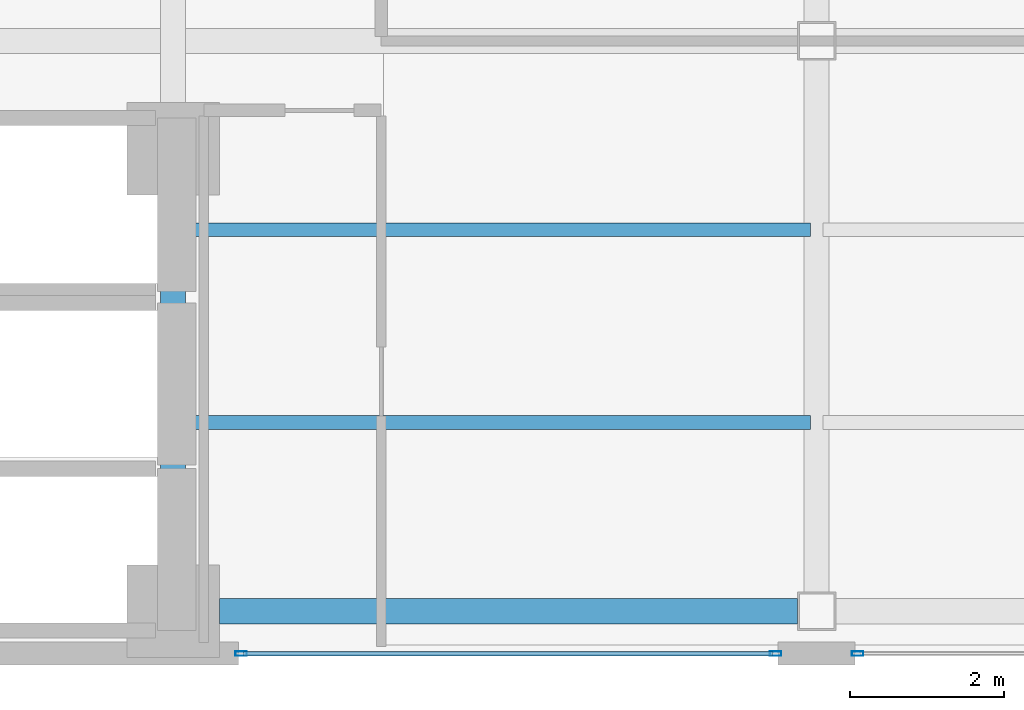
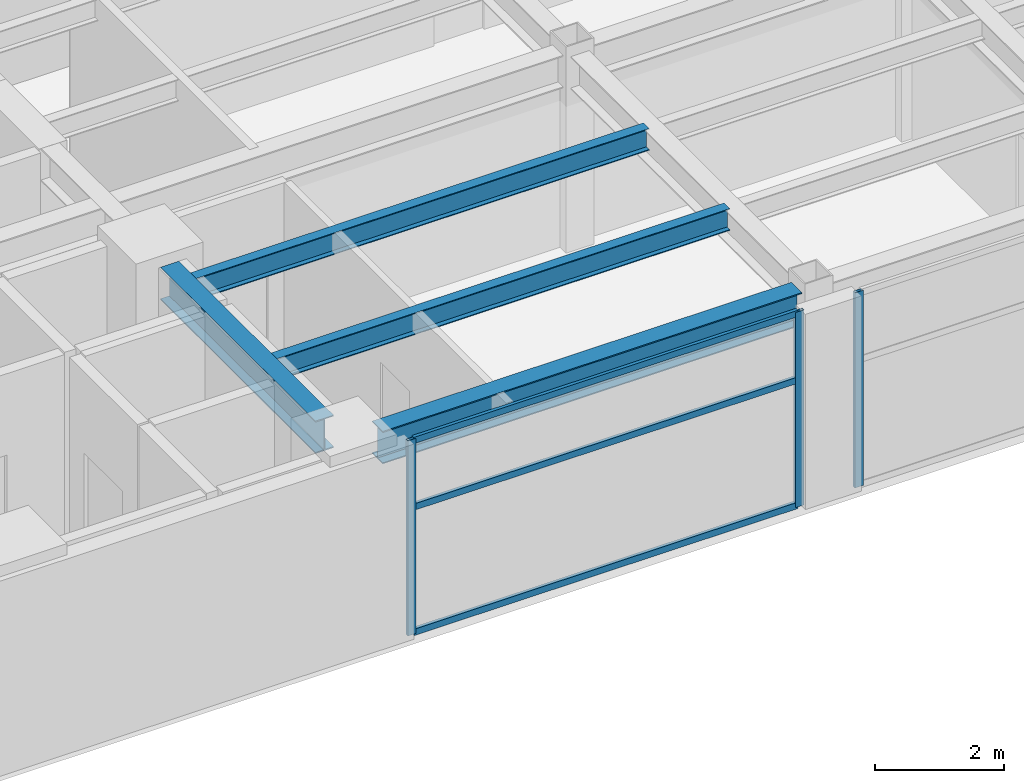
# One storey, part 4 of 15: 6 members, 4 beams, 2 elements without a shape of their own.
"""IFC4 building model written with IfcOpenShell, lengths in metres."""

from ifc_helpers import new_model, si_unit, direction, frame, origin, origin_2d, place, context, subcontext, project, spatial, hollow_rectangle, i_section, extrude, material, layer, layer_set, material_profile, profile_set, type_object, element, aggregate, save


model = new_model("IFC4")

# Units and contexts
model_context = context("Model", 3, precision=1e-05, world=origin(), true_north=direction((0.0, 1.0)))
body_context = subcontext(model_context, "Body", "Model", "MODEL_VIEW")
ifc_project = project(units=[si_unit("LENGTHUNIT", "METRE"), si_unit("AREAUNIT", "SQUARE_METRE"), si_unit("VOLUMEUNIT", "CUBIC_METRE"), si_unit("PLANEANGLEUNIT", "RADIAN"), si_unit("MASSUNIT", "GRAM", prefix="KILO")], contexts=[model_context])

# Site, building, storey
site_placement = place(None, origin())
site = spatial("IfcSite", under=ifc_project, at=site_placement, CompositionType="ELEMENT")
building_placement = place(site_placement, origin())
building = spatial("IfcBuilding", under=site, at=building_placement, Name="Mawjaban Terraces University", CompositionType="ELEMENT")
storey_placement = place(building_placement, frame((0.0, 0.0, 142.39990234375)))
storey = spatial("IfcBuildingStorey", under=building, at=storey_placement, Name="L34", CompositionType="ELEMENT", Elevation=142.39990234375)

# Beams
ifc_material_1 = material(Name="Steel ASTM A572 Grade 50", Category="steel")
ifc_material_profile_1 = material_profile(ifc_material_1, i_section(OverallWidth=0.324951171875, OverallDepth=0.615966796875, WebThickness=0.013916015625, FlangeThickness=0.021484375, at=origin_2d()), Name="W610X174")
ifc_profile_set_1 = profile_set([ifc_material_profile_1], Name="Steel ASTM A572 Grade 50")
beam_type_1 = type_object("IfcBeamType", Name="Beam_B_W610X174", PredefinedType="BEAM", material=ifc_profile_set_1)
beam_1_placement = place(storey_placement, frame((38.25, 0.550048828125, 3.382080078125), z_axis=(1.0, 0.0, 0.0), x_axis=(0.0, 1.0, 0.0)))
element("IfcBeam", 1, at=beam_1_placement, inside=storey, type_object=beam_type_1, Name="L34 Beam BM-L34-EW-01", PredefinedType="BEAM", context=body_context, shape_type="SweptSolid", body=[
    extrude(i_section(OverallWidth=0.324951171875, OverallDepth=0.615966796875, WebThickness=0.013916015625, FlangeThickness=0.021484375, at=origin_2d()), origin(), (0.0, 0.0, 1.0), 7.5),
])
beam_2_placement = place(storey_placement, frame((37.64990234375, 1.14990234375, 3.382080078125), z_axis=(0.0, 1.0, 0.0), x_axis=(-1.0, 0.0, 0.0)))
element("IfcBeam", 2, at=beam_2_placement, inside=storey, type_object=beam_type_1, Name="L34 Beam BM-L34-NS-06", PredefinedType="BEAM", context=body_context, shape_type="SweptSolid", body=[
    extrude(i_section(OverallWidth=0.324951171875, OverallDepth=0.615966796875, WebThickness=0.013916015625, FlangeThickness=0.021484375, at=origin_2d()), origin(), (0.0, 0.0, 1.0), 4.800048828125),
])
ifc_material_profile_2 = material_profile(ifc_material_1, i_section(OverallWidth=0.179931640625, OverallDepth=0.4130859375, WebThickness=0.009765625, FlangeThickness=0.01611328125, at=origin_2d()), Name="W410X74")
ifc_profile_set_2 = profile_set([ifc_material_profile_2], Name="Steel ASTM A572 Grade 50")
beam_type_2 = type_object("IfcBeamType", Name="Beam_J_W410X74", PredefinedType="JOIST", material=ifc_profile_set_2)
for number, where, z_axis, x_axis, name in (
    (3, (37.72998046875, 3.0, 3.483154296875), (1.0, 0.0, 0.0), (0.0, 1.0, 0.0), "L34 Composite Joist JST-L34-01"),
    (4, (37.72998046875, 5.5, 3.483154296875), (1.0, 0.0, 0.0), (0.0, 1.0, 0.0), "L34 Composite Joist JST-L34-05"),
):
    element("IfcBeam", number, at=place(storey_placement, frame(where, z_axis=z_axis, x_axis=x_axis)), inside=storey, type_object=beam_type_2, Name=name, PredefinedType="JOIST", context=body_context, shape_type="SweptSolid", body=[
        extrude(i_section(OverallWidth=0.179931640625, OverallDepth=0.4130859375, WebThickness=0.009765625, FlangeThickness=0.01611328125, at=origin_2d()), origin(), (0.0, 0.0, 1.0), 8.18994140625),
    ])

# Curtain wall, members
ifc_material_2 = material(Name="Anodised aluminium 6063-T6 and solar-control low-E glass", Category="aluminium")
ifc_layer = layer(ifc_material_2, 0.1650390625)
ifc_layer_set = layer_set([ifc_layer], Name="Anodised aluminium 6063-T6 and solar-control low-E glass")
curtain_wall_type = type_object("IfcCurtainWallType", Name="CWSystem_04_EastWing", PredefinedType="NOTDEFINED", material=ifc_layer_set)
curtain_wall_1_placement = place(storey_placement, origin())
curtain_wall_1 = element("IfcCurtainWall", 5, at=curtain_wall_1_placement, inside=storey, type_object=curtain_wall_type, Name="L34 Curtain Wall CW-04 Run 1.2", PredefinedType="NOTDEFINED")
ifc_material_3 = material(Name="Anodised aluminium 6063-T6", Category="aluminium")
ifc_material_profile_3 = material_profile(ifc_material_3, hollow_rectangle(XDim=0.06005859375, YDim=0.14990234375, WallThickness=0.00390625, at=origin_2d()), Name="ALU150X60X4")
ifc_profile_set_3 = profile_set([ifc_material_profile_3], Name="Anodised aluminium 6063-T6")
member_type_1 = type_object("IfcMemberType", Name="Mullion_CW-04", PredefinedType="MULLION", material=ifc_profile_set_3)
member_1_placement = place(storey_placement, frame((38.532470703125, 0.0, 0.0), z_axis=(0.0, 0.0, 1.0), x_axis=(0.0, 1.0, 0.0)))
member_1 = element("IfcMember", 6, at=member_1_placement, type_object=member_type_1, Name="CW-04 mullion 1", PredefinedType="MULLION", context=body_context, shape_type="SweptSolid", body=[
    extrude(hollow_rectangle(XDim=0.06005859375, YDim=0.14990234375, WallThickness=0.00390625, at=origin_2d()), origin(), (0.0, 0.0, 1.0), 3.690185546875),
])
member_2_placement = place(storey_placement, frame((45.467529296875, 0.0, 0.0), z_axis=(0.0, 0.0, 1.0), x_axis=(0.0, 1.0, 0.0)))
member_2 = element("IfcMember", 7, at=member_2_placement, type_object=member_type_1, Name="CW-04 mullion 2", PredefinedType="MULLION", context=body_context, shape_type="SweptSolid", body=[
    extrude(hollow_rectangle(XDim=0.06005859375, YDim=0.14990234375, WallThickness=0.00390625, at=origin_2d()), origin(), (0.0, 0.0, 1.0), 3.690185546875),
])

# Curtain wall, member
curtain_wall_2_placement = place(storey_placement, origin())
curtain_wall_2 = element("IfcCurtainWall", 8, at=curtain_wall_2_placement, inside=storey, type_object=curtain_wall_type, Name="L34 Curtain Wall CW-04 Run 1.3", PredefinedType="NOTDEFINED")
member_3_placement = place(storey_placement, frame((46.532470703125, 0.0, 0.0), z_axis=(0.0, 0.0, 1.0), x_axis=(0.0, 1.0, 0.0)))
member_3 = element("IfcMember", 9, at=member_3_placement, type_object=member_type_1, Name="CW-04 mullion 1", PredefinedType="MULLION", context=body_context, shape_type="SweptSolid", body=[
    extrude(hollow_rectangle(XDim=0.06005859375, YDim=0.14990234375, WallThickness=0.00390625, at=origin_2d()), origin(), (0.0, 0.0, 1.0), 3.690185546875),
])
aggregate(curtain_wall_2, [member_3])

# Member
ifc_material_profile_4 = material_profile(ifc_material_3, hollow_rectangle(XDim=0.06005859375, YDim=0.1201171875, WallThickness=0.00341796875, at=origin_2d()), Name="ALU120X60X3.5")
ifc_profile_set_4 = profile_set([ifc_material_profile_4], Name="Anodised aluminium 6063-T6")
member_type_2 = type_object("IfcMemberType", Name="Transom_CW-04", PredefinedType="NOTDEFINED", material=ifc_profile_set_4)
member_4_placement = place(storey_placement, frame((38.56494140625, 0.0, 0.030029296875), z_axis=(1.0, 0.0, 0.0), x_axis=(0.0, 1.0, 0.0)))
member_4 = element("IfcMember", 10, at=member_4_placement, type_object=member_type_2, Name="CW-04 transom 1.1", ObjectType="TRANSOM", PredefinedType="USERDEFINED", context=body_context, shape_type="SweptSolid", body=[
    extrude(hollow_rectangle(XDim=0.06005859375, YDim=0.1201171875, WallThickness=0.00341796875, at=origin_2d()), origin(), (0.0, 0.0, 1.0), 6.8701171875),
])

member_5_placement = place(storey_placement, frame((38.56494140625, 0.0, 2.398193359375), z_axis=(1.0, 0.0, 0.0), x_axis=(0.0, 1.0, 0.0)))
member_5 = element("IfcMember", 11, at=member_5_placement, type_object=member_type_2, Name="CW-04 transom 1.2", ObjectType="TRANSOM", PredefinedType="USERDEFINED", context=body_context, shape_type="SweptSolid", body=[
    extrude(hollow_rectangle(XDim=0.06005859375, YDim=0.1201171875, WallThickness=0.00341796875, at=origin_2d()), origin(), (0.0, 0.0, 1.0), 6.8701171875),
])

member_6_placement = place(storey_placement, frame((38.56494140625, 0.0, 3.66015625), z_axis=(1.0, 0.0, 0.0), x_axis=(0.0, 1.0, 0.0)))
member_6 = element("IfcMember", 12, at=member_6_placement, type_object=member_type_2, Name="CW-04 transom 1.3", ObjectType="TRANSOM", PredefinedType="USERDEFINED", context=body_context, shape_type="SweptSolid", body=[
    extrude(hollow_rectangle(XDim=0.06005859375, YDim=0.1201171875, WallThickness=0.00341796875, at=origin_2d()), origin(), (0.0, 0.0, 1.0), 6.8701171875),
])

aggregate(curtain_wall_1, [member_1, member_2, member_4, member_5, member_6])

save(model, "model.ifc")
